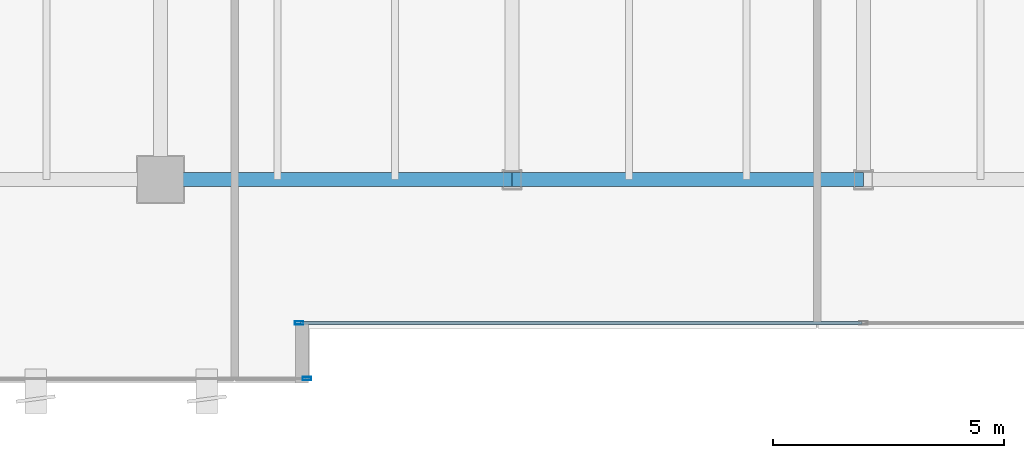
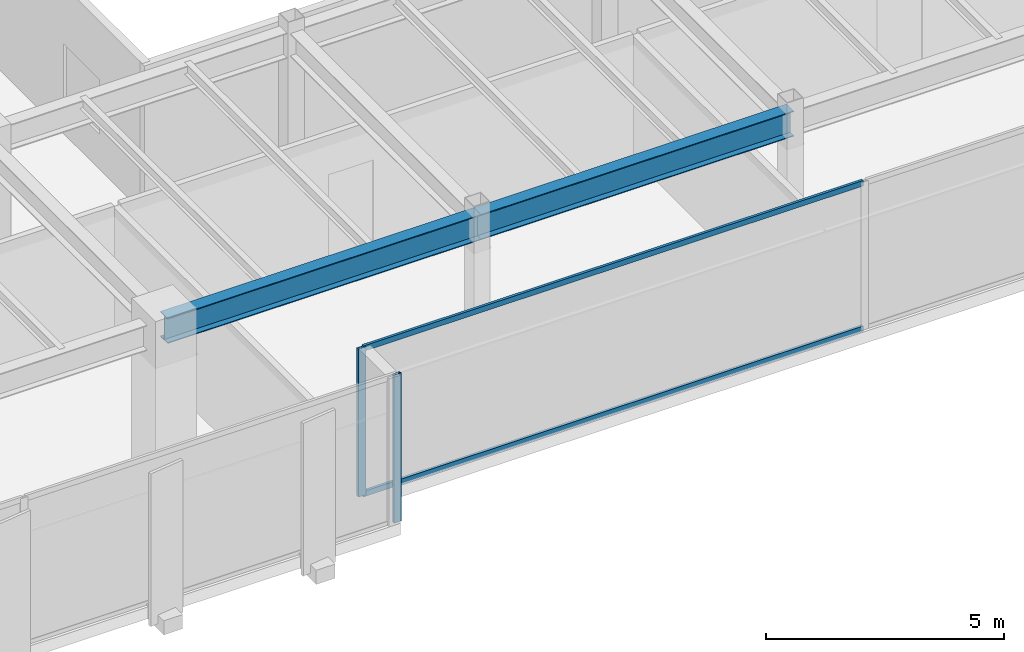
# One storey, part 7 of 36: 4 members, 2 beams, 2 elements without a shape of their own.
"""IFC4 building model written with IfcOpenShell, lengths in metres."""

from ifc_helpers import new_model, si_unit, direction, frame, origin, origin_2d, place, context, subcontext, project, spatial, hollow_rectangle, i_section, extrude, source, transform, mapped, material, layer, layer_set, material_profile, profile_set, type_object, type_shapes, element, aggregate, save


model = new_model("IFC4")

# Units and contexts
model_context = context("Model", 3, precision=1e-05, world=origin(), true_north=direction((0.0, 1.0)))
body_context = subcontext(model_context, "Body", "Model", "MODEL_VIEW")
ifc_project = project(units=[si_unit("LENGTHUNIT", "METRE"), si_unit("AREAUNIT", "SQUARE_METRE"), si_unit("VOLUMEUNIT", "CUBIC_METRE"), si_unit("PLANEANGLEUNIT", "RADIAN"), si_unit("MASSUNIT", "GRAM", prefix="KILO")], contexts=[model_context])

# Site, building, storey
site_placement = place(None, origin())
site = spatial("IfcSite", under=ifc_project, at=site_placement, CompositionType="ELEMENT")
building_placement = place(site_placement, origin())
building = spatial("IfcBuilding", under=site, at=building_placement, Name="Haelvirn Gate Laboratories", CompositionType="ELEMENT")
storey_placement = place(building_placement, frame((0.0, 0.0, 242.39990234375)))
storey = spatial("IfcBuildingStorey", under=building, at=storey_placement, Name="L58", CompositionType="ELEMENT", Elevation=242.39990234375)

# Beams
ifc_material_1 = material(Name="Steel SM355", Category="steel")
ifc_material_profile_1 = material_profile(ifc_material_1, i_section(OverallWidth=0.300048828125, OverallDepth=0.64990234375, WebThickness=0.012939453125, FlangeThickness=0.02197265625, at=origin_2d()), Name="H-650x300x13x22")
ifc_profile_set_1 = profile_set([ifc_material_profile_1], Name="Steel SM355")
beam_type = type_object("IfcBeamType", Name="BM-G-650", PredefinedType="BEAM", material=ifc_profile_set_1)
shared_shape_1 = source(origin(), body_context, "Body", "SweptSolid", [
    extrude(i_section(OverallWidth=0.300048828125, OverallDepth=0.64990234375, WebThickness=0.012939453125, FlangeThickness=0.02197265625, at=origin_2d()), origin(), (0.0, 0.0, 1.0), 7.60009765625),
])
beam_1_placement = place(storey_placement, frame((22.199951171875, 7.0, 3.47509765625), z_axis=(1.0, 0.0, 0.0), x_axis=(0.0, 1.0, 0.0)))
element("IfcBeam", 1, at=beam_1_placement, inside=storey, type_object=beam_type, Name="L58 Primary Girder Y7.0 (22.2-29.8)", PredefinedType="BEAM", context=body_context, shape_type="MappedRepresentation", body=[
    mapped(shared_shape_1, transform((0.0, 0.0, 0.0), scale=1.0)),
])
shared_shape_2 = source(origin(), body_context, "Body", "SweptSolid", [
    extrude(i_section(OverallWidth=0.300048828125, OverallDepth=0.64990234375, WebThickness=0.012939453125, FlangeThickness=0.02197265625, at=origin_2d()), origin(), (0.0, 0.0, 1.0), 7.599853515625),
])
type_shapes(beam_type, [shared_shape_1, shared_shape_2])
beam_2_placement = place(storey_placement, frame((29.800048828125, 7.0, 3.47509765625), z_axis=(1.0, 0.0, 0.0), x_axis=(0.0, 1.0, 0.0)))
element("IfcBeam", 2, at=beam_2_placement, inside=storey, type_object=beam_type, Name="L58 Primary Girder Y7.0 (29.8-37.4)", PredefinedType="BEAM", context=body_context, shape_type="MappedRepresentation", body=[
    mapped(shared_shape_2, transform((0.0, 0.0, 0.0), scale=1.0)),
])

# Curtain wall, members
ifc_material_2 = material(Name="Anodised bronze unitised aluminium & triple low-E glass", Category="aluminium")
ifc_layer = layer(ifc_material_2, 0.176025390625, Name="CW-SYS-4")
ifc_layer_set = layer_set([ifc_layer], Name="Anodised bronze unitised aluminium & triple low-E glass")
curtain_wall_type = type_object("IfcCurtainWallType", Name="CW-SYS-4", PredefinedType="NOTDEFINED", material=ifc_layer_set)
curtain_wall_1_placement = place(storey_placement, origin())
curtain_wall_1 = element("IfcCurtainWall", 3, at=curtain_wall_1_placement, inside=storey, type_object=curtain_wall_type, Name="L58 Unitised Curtain Wall CW-L58-P0-E02-1", PredefinedType="NOTDEFINED")
ifc_material_3 = material(Name="Extruded aluminium 6063-T6 (anodised bronze)", Category="aluminium")
ifc_material_profile_2 = material_profile(ifc_material_3, hollow_rectangle(XDim=0.06494140625, YDim=0.139892578125, WallThickness=0.00390625, at=origin_2d()), Name="CWT-140x65x4")
ifc_profile_set_2 = profile_set([ifc_material_profile_2], Name="Extruded aluminium 6063-T6 (anodised bronze)")
member_type_1 = type_object("IfcMemberType", Name="CWT-T140", PredefinedType="USERDEFINED", material=ifc_profile_set_2)
shared_shape_3 = source(origin(), body_context, "Body", "SweptSolid", [
    extrude(hollow_rectangle(XDim=0.06494140625, YDim=0.139892578125, WallThickness=0.00390625, at=origin_2d()), origin(), (0.0, 0.0, 1.0), 12.135009765625),
])
type_shapes(member_type_1, [shared_shape_3])
member_1_placement = place(storey_placement, frame((25.22998046875, 3.89990234375, 0.03271484375), z_axis=(1.0, 0.0, 0.0), x_axis=(0.0, 1.0, 0.0)))
member_1 = element("IfcMember", 4, at=member_1_placement, type_object=member_type_1, Name="CW4 transom 1.1", ObjectType="TRANSOM", PredefinedType="USERDEFINED", context=body_context, shape_type="MappedRepresentation", body=[
    mapped(shared_shape_3, transform((0.0, 0.0, 0.0), scale=1.0)),
])
member_2_placement = place(storey_placement, frame((25.22998046875, 3.89990234375, 3.767578125), z_axis=(1.0, 0.0, 0.0), x_axis=(0.0, 1.0, 0.0)))
member_2 = element("IfcMember", 5, at=member_2_placement, type_object=member_type_1, Name="CW4 transom 1.2", ObjectType="TRANSOM", PredefinedType="USERDEFINED", context=body_context, shape_type="MappedRepresentation", body=[
    mapped(shared_shape_3, transform((0.0, 0.0, 0.0), scale=1.0)),
])

# Curtain wall, member
curtain_wall_2_placement = place(storey_placement, origin())
curtain_wall_2 = element("IfcCurtainWall", 6, at=curtain_wall_2_placement, inside=storey, type_object=curtain_wall_type, Name="L58 Unitised Curtain Wall CW-L58-P0-E00-1", PredefinedType="NOTDEFINED")
ifc_material_profile_3 = material_profile(ifc_material_3, hollow_rectangle(XDim=0.070068359375, YDim=0.179931640625, WallThickness=0.0048828125, at=origin_2d()), Name="CWM-180x70x5")
ifc_profile_set_3 = profile_set([ifc_material_profile_3], Name="Extruded aluminium 6063-T6 (anodised bronze)")
member_type_2 = type_object("IfcMemberType", Name="CWM-T180", PredefinedType="MULLION", material=ifc_profile_set_3)
shared_shape_4 = source(origin(), body_context, "Body", "SweptSolid", [
    extrude(hollow_rectangle(XDim=0.070068359375, YDim=0.179931640625, WallThickness=0.0048828125, at=origin_2d()), origin(), (0.0, 0.0, 1.0), 3.800048828125),
])
type_shapes(member_type_2, [shared_shape_4])
member_3_placement = place(storey_placement, frame((25.364990234375, 2.699951171875, 0.0), z_axis=(0.0, 0.0, 1.0), x_axis=(0.0, 1.0, 0.0)))
member_3 = element("IfcMember", 7, at=member_3_placement, type_object=member_type_2, Name="CW4 mullion 3", PredefinedType="MULLION", context=body_context, shape_type="MappedRepresentation", body=[
    mapped(shared_shape_4, transform((0.0, 0.0, 0.0), scale=1.0)),
])
aggregate(curtain_wall_2, [member_3])

# Member
member_4_placement = place(storey_placement, frame((25.195068359375, 3.89990234375, 0.0), z_axis=(0.0, 0.0, 1.0), x_axis=(0.0, 1.0, 0.0)))
member_4 = element("IfcMember", 8, at=member_4_placement, type_object=member_type_2, Name="CW4 mullion 1", PredefinedType="MULLION", context=body_context, shape_type="MappedRepresentation", body=[
    mapped(shared_shape_4, transform((0.0, 0.0, 0.0), scale=1.0)),
])

aggregate(curtain_wall_1, [member_4, member_1, member_2])

save(model, "model.ifc")
